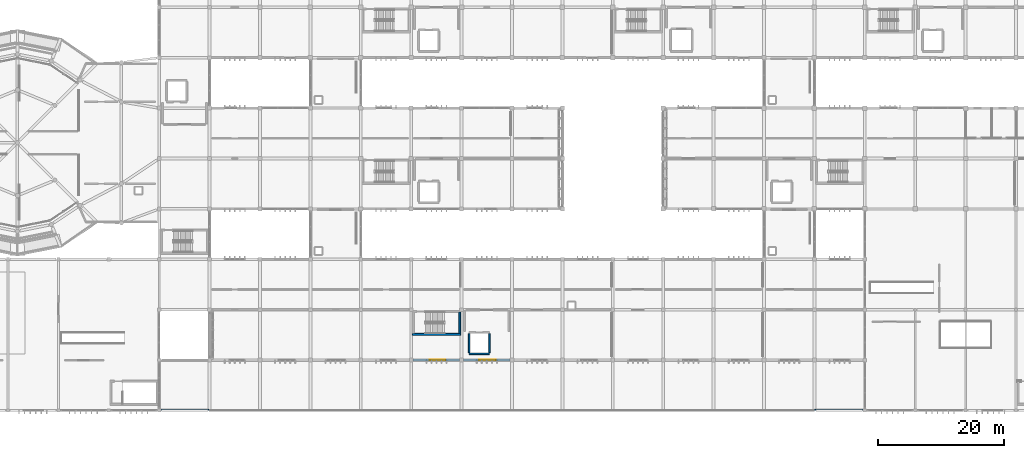
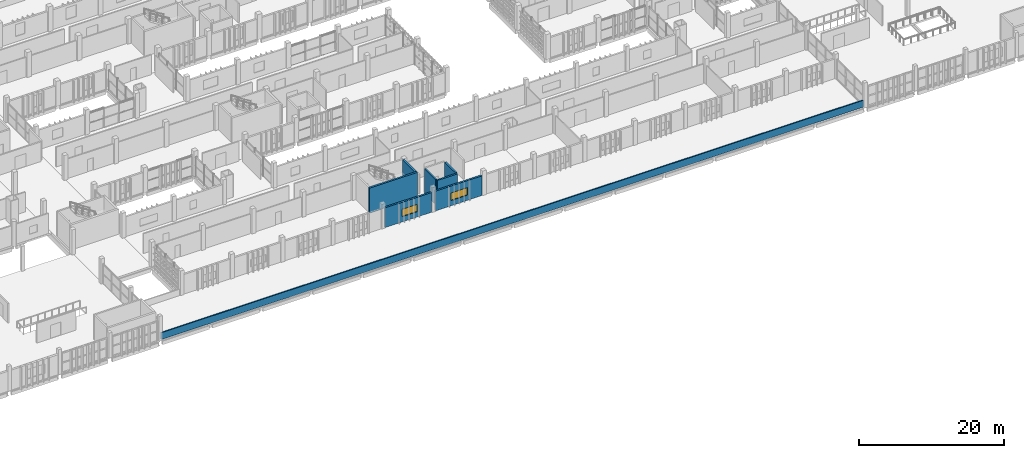
# One storey, part 112 of 137: 8 walls, 2 windows, 2 openings.
"""IFC4 building model written with IfcOpenShell, lengths in metres."""

from ifc_helpers import new_model, si_unit, direction, frame, frame_2d, origin, place, context, subcontext, project, spatial, rectangle, extrude, material, layer, layer_set, type_object, element, fill, save


model = new_model("IFC4")

# Units and contexts
model_context = context("Model", 3, precision=1e-05, world=origin(), true_north=direction((0.0, 1.0)))
body_context = subcontext(model_context, "Body", "Model", "MODEL_VIEW")
ifc_project = project(units=[si_unit("LENGTHUNIT", "METRE"), si_unit("AREAUNIT", "SQUARE_METRE"), si_unit("VOLUMEUNIT", "CUBIC_METRE"), si_unit("PLANEANGLEUNIT", "RADIAN"), si_unit("MASSUNIT", "GRAM", prefix="KILO")], contexts=[model_context])

# Site, building, storey
site_placement = place(None, origin())
site = spatial("IfcSite", under=ifc_project, at=site_placement, CompositionType="ELEMENT")
building_placement = place(site_placement, origin())
building = spatial("IfcBuilding", under=site, at=building_placement, Name="Jelvoka-Kovrelna Polytechnic", CompositionType="ELEMENT")
storey_placement = place(building_placement, frame((0.0, 0.0, 9.60009765625)))
storey = spatial("IfcBuildingStorey", under=building, at=storey_placement, Name="L03", CompositionType="ELEMENT", Elevation=9.60009765625)

# Walls
ifc_material_1 = material(Name="Concrete C40/50", Category="concrete")
ifc_layer_1 = layer(ifc_material_1, 0.25)
ifc_layer_set_1 = layer_set([ifc_layer_1], Name="Concrete C40/50")
wall_type_1 = type_object("IfcWallType", Name="Wall_Core_250", PredefinedType="SOLIDWALL", material=ifc_layer_set_1)
wall_1_placement = place(storey_placement, frame((97.199951171875, 9.0, 0.0), z_axis=(0.0, 0.0, 1.0), x_axis=(1.0, 0.0, 0.0)))
element("IfcWall", 1, at=wall_1_placement, inside=storey, type_object=wall_type_1, Name="L03 interior wall 0534", PredefinedType="SOLIDWALL", context=body_context, shape_type="SweptSolid", body=[
    extrude(rectangle(XDim=3.199951171875, YDim=0.25, at=frame_2d((1.60009765625, 0.0))), origin(), (0.0, 0.0, 1.0), 4.199951171875),
])
for number, where, z_axis, x_axis, name in (
    (2, (97.199951171875, 9.199951171875, 0.0), (0.0, 0.0, 1.0), (0.0, 1.0, 0.0), "L03 interior wall 0536"),
    (3, (100.39990234375, 9.199951171875, 0.0), (0.0, 0.0, 1.0), (0.0, 1.0, 0.0), "L03 interior wall 0537"),
):
    element("IfcWall", number, at=place(storey_placement, frame(where, z_axis=z_axis, x_axis=x_axis)), inside=storey, type_object=wall_type_1, Name=name, PredefinedType="SOLIDWALL", context=body_context, shape_type="SweptSolid", body=[
        extrude(rectangle(XDim=3.0, YDim=0.25, at=frame_2d((1.5, 0.0))), origin(), (0.0, 0.0, 1.0), 4.199951171875),
    ])

# Wall, opening, window
ifc_material_2 = material(Name="Precast concrete C40/50", Category="concrete")
ifc_layer_2 = layer(ifc_material_2, 0.280029296875)
ifc_layer_set_2 = layer_set([ifc_layer_2], Name="Precast concrete C40/50")
wall_type_2 = type_object("IfcWallType", Name="Wall_Ext_White_280", PredefinedType="STANDARD", material=ifc_layer_set_2)
wall_2_placement = place(storey_placement, frame((95.702880859375, 8.0, 0.0), z_axis=(0.0, 0.0, 1.0), x_axis=(-1.0, 0.0, 0.0)))
wall_2 = element("IfcWall", 4, at=wall_2_placement, inside=storey, type_object=wall_type_2, Name="L03 exterior wall 0289", PredefinedType="STANDARD", context=body_context, shape_type="SweptSolid", body=[
    extrude(rectangle(XDim=7.40576171875, YDim=0.280029296875, at=frame_2d((3.702880859375, 0.0))), origin(), (0.0, 0.0, 1.0), 3.324951171875),
])
opening_1_placement = place(wall_2_placement, frame((2.282958984375, 0.0, 0.89990234375)))
opening_1 = element("IfcOpeningElement", 5, at=opening_1_placement, cuts=wall_2, Name="Opening W-L03-051", PredefinedType="OPENING", context=body_context, shape_type="SweptSolid", body=[
    extrude(rectangle(XDim=2.449951171875, YDim=1.25, at=frame_2d((1.22509765625, 0.625))), frame((0.0, 0.150146484375, 0.0), z_axis=(0.0, -1.0, 0.0), x_axis=(1.0, 0.0, 0.0)), (0.0, 0.0, 1.0), 0.300048828125),
])
ifc_material_3 = material(Name="Thermally broken anodised aluminium and low-e glazing", Category="aluminium")
window_type_1 = type_object("IfcWindowType", Name="Win_Casement_W08", PartitioningType="DOUBLE_PANEL_VERTICAL", PredefinedType="WINDOW", material=ifc_material_3)
window_1_placement = place(opening_1_placement, origin())
window_1 = element("IfcWindow", 6, at=window_1_placement, inside=storey, type_object=window_type_1, Name="L03 aluminium casement window W-L03-051", OverallHeight=1.25, OverallWidth=2.449951171875, PartitioningType="DOUBLE_PANEL_VERTICAL", PredefinedType="WINDOW", context=body_context, shape_type="SweptSolid", body=[
    extrude(rectangle(XDim=2.449951171875, YDim=1.25, at=frame_2d((1.22509765625, 0.625))), frame((0.0, 0.030029296875, 0.0), z_axis=(0.0, -1.0, 0.0), x_axis=(1.0, 0.0, 0.0)), (0.0, 0.0, 1.0), 0.06005859375),
])
fill(opening_1, window_1)

wall_3_placement = place(storey_placement, frame((103.702880859375, 8.0, 0.0), z_axis=(0.0, 0.0, 1.0), x_axis=(-1.0, 0.0, 0.0)))
wall_3 = element("IfcWall", 7, at=wall_3_placement, inside=storey, type_object=wall_type_2, Name="L03 exterior wall 0291", PredefinedType="STANDARD", context=body_context, shape_type="SweptSolid", body=[
    extrude(rectangle(XDim=7.40576171875, YDim=0.280029296875, at=frame_2d((3.702880859375, 0.0))), origin(), (0.0, 0.0, 1.0), 3.324951171875),
])
opening_2_placement = place(wall_3_placement, frame((2.282958984375, 0.0, 0.89990234375)))
opening_2 = element("IfcOpeningElement", 8, at=opening_2_placement, cuts=wall_3, Name="Opening W-L03-053", PredefinedType="OPENING", context=body_context, shape_type="SweptSolid", body=[
    extrude(rectangle(XDim=2.64990234375, YDim=1.25, at=frame_2d((1.324951171875, 0.625))), frame((0.0, 0.150146484375, 0.0), z_axis=(0.0, -1.0, 0.0), x_axis=(1.0, 0.0, 0.0)), (0.0, 0.0, 1.0), 0.300048828125),
])
ifc_material_4 = material(Name="Thermally broken anodised aluminium and low-e glazing", Category="aluminium")
window_type_2 = type_object("IfcWindowType", Name="Win_Casement_W09", PartitioningType="DOUBLE_PANEL_VERTICAL", PredefinedType="WINDOW", material=ifc_material_4)
window_2_placement = place(opening_2_placement, origin())
window_2 = element("IfcWindow", 9, at=window_2_placement, inside=storey, type_object=window_type_2, Name="L03 aluminium casement window W-L03-053", OverallHeight=1.25, OverallWidth=2.64990234375, PartitioningType="DOUBLE_PANEL_VERTICAL", PredefinedType="WINDOW", context=body_context, shape_type="SweptSolid", body=[
    extrude(rectangle(XDim=2.64990234375, YDim=1.25, at=frame_2d((1.324951171875, 0.625))), frame((0.0, 0.030029296875, 0.0), z_axis=(0.0, -1.0, 0.0), x_axis=(1.0, 0.0, 0.0)), (0.0, 0.0, 1.0), 0.06005859375),
])
fill(opening_2, window_2)

# Walls
ifc_material_5 = material(Name="Precast concrete C40/50", Category="concrete")
ifc_layer_3 = layer(ifc_material_5, 0.179931640625)
ifc_layer_set_3 = layer_set([ifc_layer_3], Name="Precast concrete C40/50")
wall_type_3 = type_object("IfcWallType", Name="Wall_Parapet_180", PredefinedType="PARAPET", material=ifc_layer_set_3)
wall_4_placement = place(storey_placement, frame((48.219970703125, 0.10009765625, 0.0), z_axis=(0.0, 0.0, 1.0), x_axis=(1.0, 0.0, 0.0)))
element("IfcWall", 10, at=wall_4_placement, inside=storey, type_object=wall_type_3, Name="L03 exterior wall 1189", PredefinedType="PARAPET", context=body_context, shape_type="SweptSolid", body=[
    extrude(rectangle(XDim=111.56005859375, YDim=0.179931640625, at=frame_2d((55.780029296875, 0.0))), origin(), (0.0, 0.0, 1.0), 1.14990234375),
])
ifc_material_6 = material(Name="Concrete C40/50", Category="concrete")
ifc_layer_4 = layer(ifc_material_6, 0.300048828125)
ifc_layer_set_4 = layer_set([ifc_layer_4], Name="Concrete C40/50")
wall_type_4 = type_object("IfcWallType", Name="Wall_Shear_300", PredefinedType="SHEAR", material=ifc_layer_set_4)
wall_5_placement = place(storey_placement, frame((88.199951171875, 12.090087890625, 0.0), z_axis=(0.0, 0.0, 1.0), x_axis=(1.0, 0.0, 0.0)))
element("IfcWall", 11, at=wall_5_placement, inside=storey, type_object=wall_type_4, Name="L03 interior wall 0073", PredefinedType="SHEAR", context=body_context, shape_type="SweptSolid", body=[
    extrude(rectangle(XDim=7.650146484375, YDim=0.300048828125, at=frame_2d((3.8251953125, 0.0))), origin(), (0.0, 0.0, 1.0), 4.199951171875),
])
wall_6_placement = place(storey_placement, frame((95.7099609375, 12.25, 0.0), z_axis=(0.0, 0.0, 1.0), x_axis=(0.0, 1.0, 0.0)))
element("IfcWall", 12, at=wall_6_placement, inside=storey, type_object=wall_type_4, Name="L03 interior wall 0074", PredefinedType="SHEAR", context=body_context, shape_type="SweptSolid", body=[
    extrude(rectangle(XDim=3.360107421875, YDim=0.300048828125, at=frame_2d((1.68017578125, 0.0))), origin(), (0.0, 0.0, 1.0), 4.199951171875),
])

save(model, "model.ifc")
